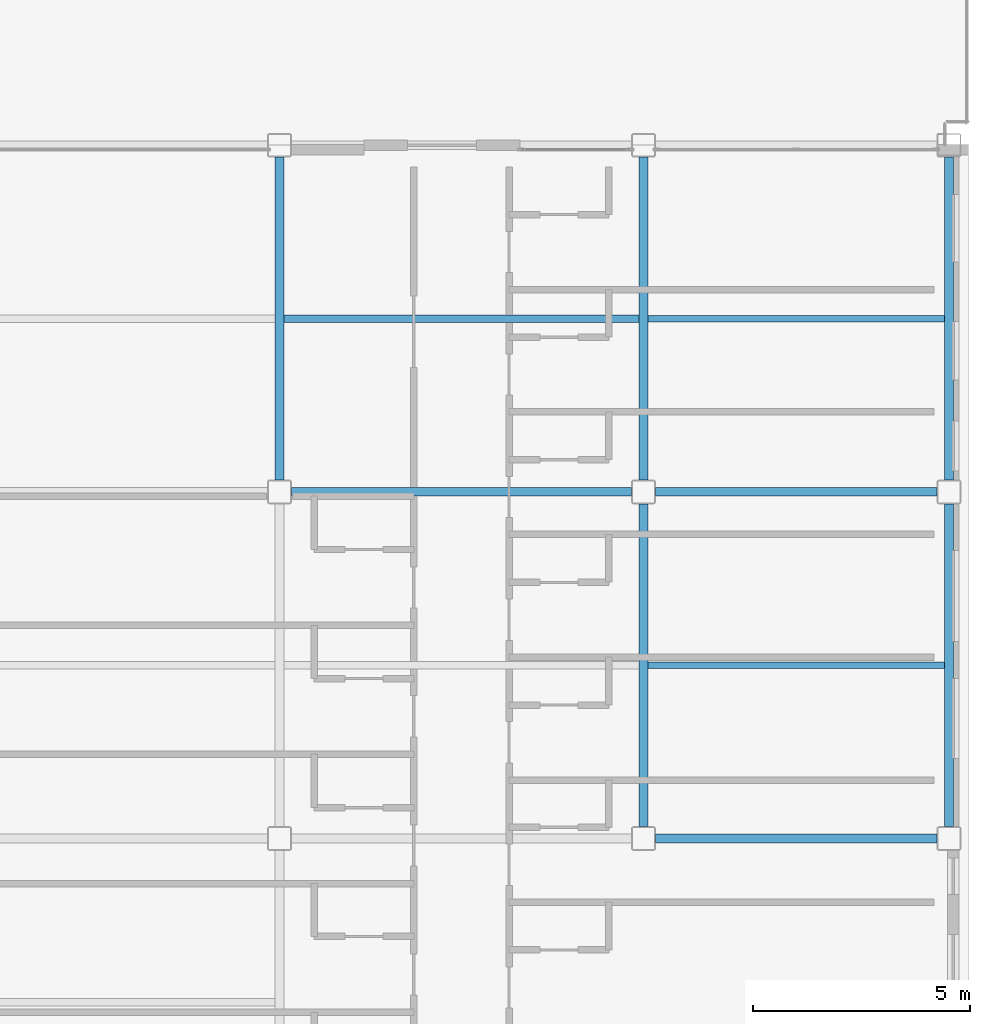
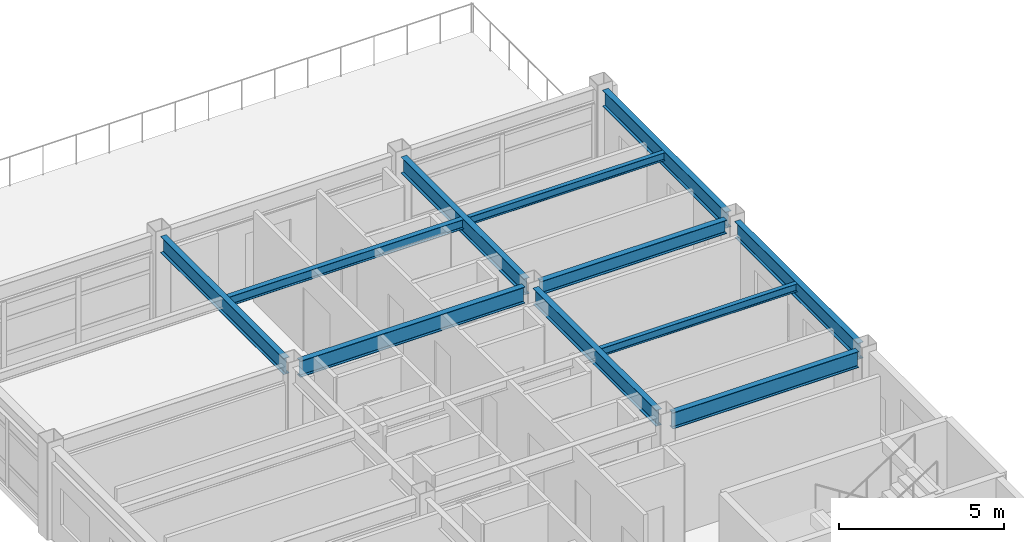
# One storey, part 19 of 36: 11 beams.
"""IFC4 building model written with IfcOpenShell, lengths in metres."""

from ifc_helpers import new_model, si_unit, direction, frame, origin, origin_2d, place, context, subcontext, project, spatial, i_section, extrude, material, material_profile, profile_set, type_object, element, save


model = new_model("IFC4")

# Units and contexts
model_context = context("Model", 3, precision=1e-05, world=origin(), true_north=direction((0.0, 1.0)))
body_context = subcontext(model_context, "Body", "Model", "MODEL_VIEW")
ifc_project = project(units=[si_unit("LENGTHUNIT", "METRE"), si_unit("AREAUNIT", "SQUARE_METRE"), si_unit("VOLUMEUNIT", "CUBIC_METRE"), si_unit("PLANEANGLEUNIT", "RADIAN"), si_unit("MASSUNIT", "GRAM", prefix="KILO")], contexts=[model_context])

# Site, building, storey
site_placement = place(None, origin())
site = spatial("IfcSite", under=ifc_project, at=site_placement, CompositionType="ELEMENT")
building_placement = place(site_placement, origin())
building = spatial("IfcBuilding", under=site, at=building_placement, Name="Kazehara Bluff Congress Hotel", CompositionType="ELEMENT")
storey_placement = place(building_placement, frame((0.0, 0.0, 31.800048828125)))
storey = spatial("IfcBuildingStorey", under=building, at=storey_placement, Name="L07", CompositionType="ELEMENT", Elevation=31.800048828125)

# Beams
ifc_material_1 = material(Name="Steel SN490B", Category="steel")
ifc_material_profile_1 = material_profile(ifc_material_1, i_section(OverallWidth=0.199951171875, OverallDepth=0.5, WebThickness=0.010009765625, FlangeThickness=0.01611328125, FilletRadius=0.012939453125, at=origin_2d()))
ifc_profile_set_1 = profile_set([ifc_material_profile_1], Name="Steel SN490B")
beam_type_1 = type_object("IfcBeamType", Name="TP-G-01", PredefinedType="BEAM", material=ifc_profile_set_1)
beam_1_placement = place(storey_placement, frame((160.77490234375, 88.89990234375, 3.1298828125), z_axis=(1.0, 0.0, 0.0), x_axis=(0.0, 1.0, 0.0)))
element("IfcBeam", 1, at=beam_1_placement, inside=storey, type_object=beam_type_1, Name="L07 girder G-01 64", PredefinedType="BEAM", context=body_context, shape_type="SweptSolid", body=[
    extrude(i_section(OverallWidth=0.199951171875, OverallDepth=0.5, WebThickness=0.010009765625, FlangeThickness=0.01611328125, FilletRadius=0.012939453125, at=origin_2d()), origin(), (0.0, 0.0, 1.0), 6.5),
])
ifc_material_2 = material(Name="Steel SN490B", Category="steel")
ifc_material_profile_2 = material_profile(ifc_material_2, i_section(OverallWidth=0.199951171875, OverallDepth=0.60009765625, WebThickness=0.010986328125, FlangeThickness=0.01708984375, FilletRadius=0.012939453125, at=origin_2d()))
ifc_profile_set_2 = profile_set([ifc_material_profile_2], Name="Steel SN490B")
beam_type_2 = type_object("IfcBeamType", Name="TP-G-02", PredefinedType="BEAM", material=ifc_profile_set_2)
for number, where, z_axis, x_axis, name in (
    (2, (152.10009765625, 89.175048828125, 3.079833984375), (0.0, 1.0, 0.0), (-1.0, 0.0, 0.0), "L07 girder G-02 19"),
    (3, (160.5, 81.175048828125, 3.079833984375), (0.0, 1.0, 0.0), (-1.0, 0.0, 0.0), "L07 girder G-02 26"),
    (4, (160.5, 89.175048828125, 3.079833984375), (0.0, 1.0, 0.0), (-1.0, 0.0, 0.0), "L07 girder G-02 27"),
    (5, (167.550048828125, 81.175048828125, 3.079833984375), (0.0, 1.0, 0.0), (-1.0, 0.0, 0.0), "L07 girder G-02 34"),
    (6, (167.550048828125, 89.175048828125, 3.079833984375), (0.0, 1.0, 0.0), (-1.0, 0.0, 0.0), "L07 girder G-02 35"),
):
    element("IfcBeam", number, at=place(storey_placement, frame(where, z_axis=z_axis, x_axis=x_axis)), inside=storey, type_object=beam_type_2, Name=name, PredefinedType="BEAM", context=body_context, shape_type="SweptSolid", body=[
        extrude(i_section(OverallWidth=0.199951171875, OverallDepth=0.60009765625, WebThickness=0.010986328125, FlangeThickness=0.01708984375, FilletRadius=0.012939453125, at=origin_2d()), origin(), (0.0, 0.0, 1.0), 7.449951171875),
    ])
beam_2_placement = place(storey_placement, frame((152.375, 88.89990234375, 3.079833984375), z_axis=(1.0, 0.0, 0.0), x_axis=(0.0, 1.0, 0.0)))
element("IfcBeam", 7, at=beam_2_placement, inside=storey, type_object=beam_type_2, Name="L07 girder G-02 63", PredefinedType="BEAM", context=body_context, shape_type="SweptSolid", body=[
    extrude(i_section(OverallWidth=0.199951171875, OverallDepth=0.60009765625, WebThickness=0.010986328125, FlangeThickness=0.01708984375, FilletRadius=0.012939453125, at=origin_2d()), origin(), (0.0, 0.0, 1.0), 7.85009765625),
])
ifc_material_3 = material(Name="Steel SN400B", Category="steel")
ifc_material_profile_3 = material_profile(ifc_material_3, i_section(OverallWidth=0.14990234375, OverallDepth=0.300048828125, WebThickness=0.006591796875, FlangeThickness=0.009033203125, FilletRadius=0.012939453125, at=origin_2d()))
ifc_profile_set_3 = profile_set([ifc_material_profile_3], Name="Steel SN400B")
beam_type_3 = type_object("IfcBeamType", Name="TP-J-01", PredefinedType="JOIST", material=ifc_profile_set_3)
for number, where, z_axis, x_axis, name in (
    (8, (160.60009765625, 84.89990234375, 3.22998046875), (1.0, 0.0, 0.0), (0.0, 1.0, 0.0), "L07 secondary joist J-01 19"),
    (9, (160.60009765625, 92.89990234375, 3.22998046875), (1.0, 0.0, 0.0), (0.0, 1.0, 0.0), "L07 secondary joist J-01 20"),
):
    element("IfcBeam", number, at=place(storey_placement, frame(where, z_axis=z_axis, x_axis=x_axis)), inside=storey, type_object=beam_type_3, Name=name, PredefinedType="JOIST", context=body_context, shape_type="SweptSolid", body=[
        extrude(i_section(OverallWidth=0.14990234375, OverallDepth=0.300048828125, WebThickness=0.006591796875, FlangeThickness=0.009033203125, FilletRadius=0.012939453125, at=origin_2d()), origin(), (0.0, 0.0, 1.0), 6.849853515625),
    ])
ifc_material_4 = material(Name="Steel SN400B", Category="steel")
ifc_material_profile_4 = material_profile(ifc_material_4, i_section(OverallWidth=0.175048828125, OverallDepth=0.35009765625, WebThickness=0.007080078125, FlangeThickness=0.010986328125, FilletRadius=0.012939453125, at=origin_2d()))
ifc_profile_set_4 = profile_set([ifc_material_profile_4], Name="Steel SN400B")
beam_type_4 = type_object("IfcBeamType", Name="TP-J-02", PredefinedType="JOIST", material=ifc_profile_set_4)
beam_3_placement = place(storey_placement, frame((152.199951171875, 92.89990234375, 3.204833984375), z_axis=(1.0, 0.0, 0.0), x_axis=(0.0, 1.0, 0.0)))
element("IfcBeam", 10, at=beam_3_placement, inside=storey, type_object=beam_type_4, Name="L07 secondary joist J-02 12", PredefinedType="JOIST", context=body_context, shape_type="SweptSolid", body=[
    extrude(i_section(OverallWidth=0.175048828125, OverallDepth=0.35009765625, WebThickness=0.007080078125, FlangeThickness=0.010986328125, FilletRadius=0.012939453125, at=origin_2d()), origin(), (0.0, 0.0, 1.0), 8.199951171875),
])
ifc_material_5 = material(Name="Steel SN490B", Category="steel")
ifc_material_profile_5 = material_profile(ifc_material_5, i_section(OverallWidth=0.199951171875, OverallDepth=0.60009765625, WebThickness=0.010986328125, FlangeThickness=0.01708984375, FilletRadius=0.012939453125, at=origin_2d()))
ifc_profile_set_5 = profile_set([ifc_material_profile_5], Name="Steel SN490B")
beam_type_5 = type_object("IfcBeamType", Name="TP-SP-02", PredefinedType="SPANDREL", material=ifc_profile_set_5)
beam_4_placement = place(storey_placement, frame((160.77490234375, 80.89990234375, 3.079833984375), z_axis=(1.0, 0.0, 0.0), x_axis=(0.0, 1.0, 0.0)))
element("IfcBeam", 11, at=beam_4_placement, inside=storey, type_object=beam_type_5, Name="L07 girder SP-02 61", PredefinedType="SPANDREL", context=body_context, shape_type="SweptSolid", body=[
    extrude(i_section(OverallWidth=0.199951171875, OverallDepth=0.60009765625, WebThickness=0.010986328125, FlangeThickness=0.01708984375, FilletRadius=0.012939453125, at=origin_2d()), origin(), (0.0, 0.0, 1.0), 6.5),
])

save(model, "model.ifc")
